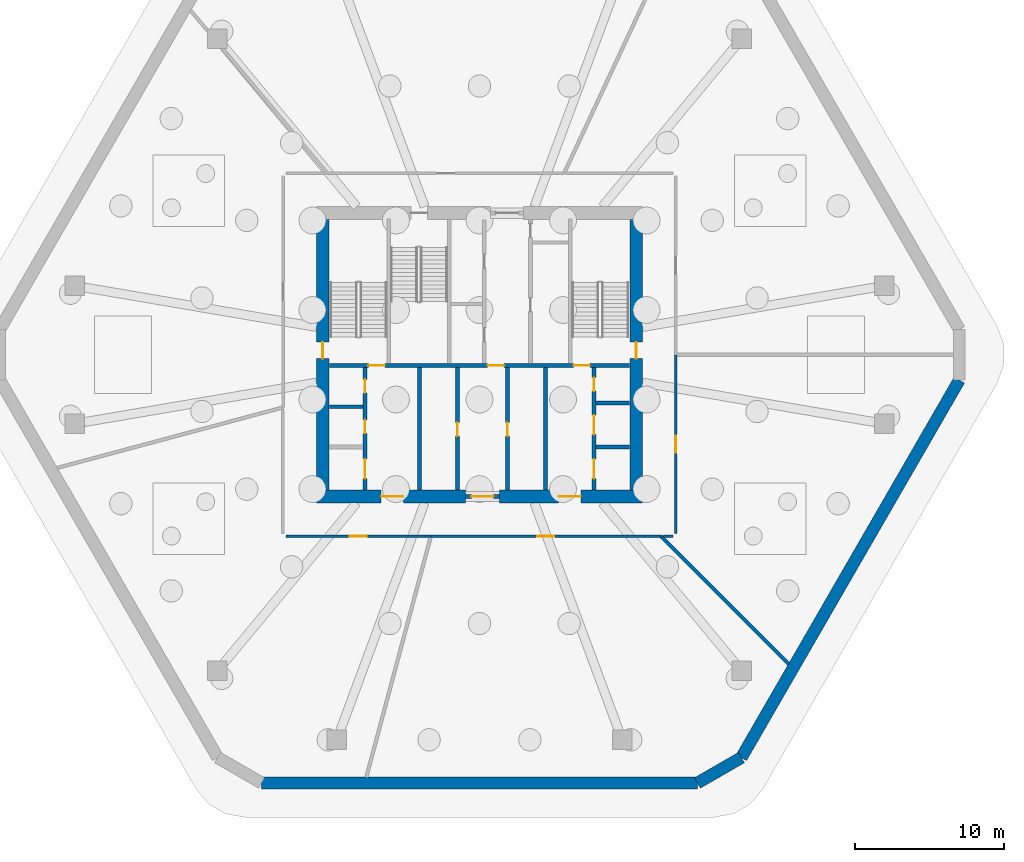
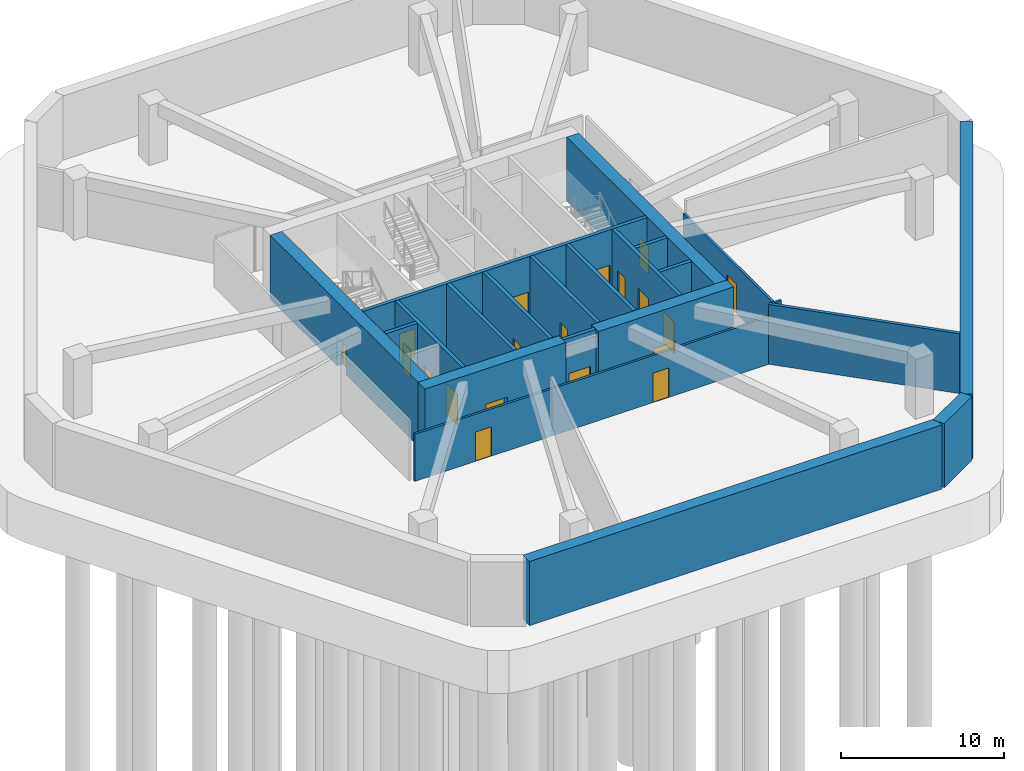
# One storey, part 2 of 5: 23 walls, 19 doors, 19 openings.
"""IFC4 building model written with IfcOpenShell, lengths in metres."""

from ifc_helpers import new_model, si_unit, direction, frame, frame_2d, origin, place, context, subcontext, project, spatial, rectangle, extrude, material, layer, layer_set, type_object, element, fill, save


model = new_model("IFC4")

# Units and contexts
model_context = context("Model", 3, precision=1e-05, world=origin(), true_north=direction((0.0, 1.0)))
body_context = subcontext(model_context, "Body", "Model", "MODEL_VIEW")
ifc_project = project(units=[si_unit("LENGTHUNIT", "METRE"), si_unit("AREAUNIT", "SQUARE_METRE"), si_unit("VOLUMEUNIT", "CUBIC_METRE"), si_unit("PLANEANGLEUNIT", "RADIAN"), si_unit("MASSUNIT", "GRAM", prefix="KILO")], contexts=[model_context])

# Site, building, storey
site_placement = place(None, origin())
site = spatial("IfcSite", under=ifc_project, at=site_placement, CompositionType="ELEMENT")
building_placement = place(site_placement, origin())
building = spatial("IfcBuilding", under=site, at=building_placement, Name="Zuhravey Tower", CompositionType="ELEMENT")
storey_placement = place(building_placement, frame((0.0, 0.0, -9.60009765625)))
storey = spatial("IfcBuildingStorey", under=building, at=storey_placement, Name="B02", CompositionType="ELEMENT", Elevation=-9.60009765625)

# Walls
ifc_material_1 = material(Name="Concrete C50/60", Category="concrete")
ifc_layer_1 = layer(ifc_material_1, 0.800048828125)
ifc_layer_set_1 = layer_set([ifc_layer_1], Name="Concrete C50/60")
wall_type_1 = type_object("IfcWallType", Name="Basement Retaining Wall 800", PredefinedType="USERDEFINED", material=ifc_layer_set_1)
wall_1_placement = place(storey_placement, frame((21.393798828125, 3.301513671875, 0.0), z_axis=(0.0, 0.0, 1.0), x_axis=(1.0, 0.0, 0.0)))
element("IfcWall", 1, at=wall_1_placement, inside=storey, type_object=wall_type_1, Name="B02 Retaining Wall RW80-10", ObjectType="RETAININGWALL", PredefinedType="USERDEFINED", context=body_context, shape_type="SweptSolid", body=[
    extrude(rectangle(XDim=29.21240234375, YDim=0.800048828125, at=frame_2d((14.606201171875, 0.0))), origin(), (0.0, 0.0, 1.0), 4.800048828125),
])
wall_2_placement = place(storey_placement, frame((50.606201171875, 3.301513671875, 0.0), z_axis=(0.0, 0.0, 1.0), x_axis=(0.866020560687, 0.500008388397, 0.0)))
element("IfcWall", 2, at=wall_2_placement, inside=storey, type_object=wall_type_1, Name="B02 Retaining Wall RW80-11", ObjectType="RETAININGWALL", PredefinedType="USERDEFINED", context=body_context, shape_type="SweptSolid", body=[
    extrude(rectangle(XDim=3.39990234375, YDim=0.800048828125, at=frame_2d((1.699951171875, 0.0))), origin(), (0.0, 0.0, 1.0), 4.800048828125),
])
wall_3_placement = place(storey_placement, frame((53.550537109375, 5.00146484375, 0.0), z_axis=(0.0, 0.0, 1.0), x_axis=(0.499995192696, 0.866028179265, 0.0)))
element("IfcWall", 3, at=wall_3_placement, inside=storey, type_object=wall_type_1, Name="B02 Retaining Wall RW80-12", ObjectType="RETAININGWALL", PredefinedType="USERDEFINED", context=body_context, shape_type="SweptSolid", body=[
    extrude(rectangle(XDim=29.212158203125, YDim=0.800048828125, at=frame_2d((14.60595703125, 0.0))), origin(), (0.0, 0.0, 1.0), 4.800048828125),
])

# Wall, opening, door
ifc_material_2 = material(Name="Concrete C60/75", Category="concrete")
ifc_layer_2 = layer(ifc_material_2, 0.85009765625)
ifc_layer_set_2 = layer_set([ifc_layer_2], Name="Concrete C60/75")
wall_type_2 = type_object("IfcWallType", Name="Core Shear Wall 850", PredefinedType="SHEAR", material=ifc_layer_set_2)
wall_4_placement = place(storey_placement, frame((25.074951171875, 22.5, 0.0), z_axis=(0.0, 0.0, 1.0), x_axis=(1.0, 0.0, 0.0)))
wall_4 = element("IfcWall", 4, at=wall_4_placement, inside=storey, type_object=wall_type_2, Name="B02 South-West Core Shear Wall CW85", PredefinedType="SHEAR", context=body_context, shape_type="SweptSolid", body=[
    extrude(rectangle(XDim=9.97509765625, YDim=0.85009765625, at=frame_2d((4.987548828125, 0.0))), origin(), (0.0, 0.0, 1.0), 4.800048828125),
])
opening_1_placement = place(wall_4_placement, frame((4.324951171875, 0.0, 0.0)))
opening_1 = element("IfcOpeningElement", 5, at=opening_1_placement, cuts=wall_4, Name="Opening FFD1", PredefinedType="OPENING", context=body_context, shape_type="SweptSolid", body=[
    extrude(rectangle(XDim=1.5, YDim=2.14990234375, at=frame_2d((0.75, 1.074951171875))), frame((0.0, 0.43701171875, 0.0), z_axis=(0.0, -1.0, 0.0), x_axis=(1.0, 0.0, 0.0)), (0.0, 0.0, 1.0), 0.8740234375),
])
ifc_material_3 = material(Name="Galvanised fire-rated steel leaf", Category="steel")
door_type_1 = type_object("IfcDoorType", Name="Firefighting Lobby Double Door 1500x2150", OperationType="DOUBLE_DOOR_SINGLE_SWING", PredefinedType="DOOR", material=ifc_material_3)
door_1_placement = place(opening_1_placement, origin())
door_1 = element("IfcDoor", 6, at=door_1_placement, inside=storey, type_object=door_type_1, Name="B02 Firefighting Lobby West Door", OperationType="DOUBLE_DOOR_SINGLE_SWING", OverallHeight=2.14990234375, OverallWidth=1.5, PredefinedType="DOOR", context=body_context, shape_type="SweptSolid", body=[
    extrude(rectangle(XDim=1.5, YDim=2.14990234375, at=frame_2d((0.75, 1.074951171875))), frame((0.0, 0.02490234375, 0.0), z_axis=(0.0, -1.0, 0.0), x_axis=(1.0, 0.0, 0.0)), (0.0, 0.0, 1.0), 0.050048828125),
])
fill(opening_1, door_1)

wall_5_placement = place(storey_placement, frame((37.35009765625, 22.5, 0.0), z_axis=(0.0, 0.0, 1.0), x_axis=(1.0, 0.0, 0.0)))
wall_5 = element("IfcWall", 7, at=wall_5_placement, inside=storey, type_object=wall_type_2, Name="B02 South-East Core Shear Wall CW85", PredefinedType="SHEAR", context=body_context, shape_type="SweptSolid", body=[
    extrude(rectangle(XDim=9.574951171875, YDim=0.85009765625, at=frame_2d((4.78759765625, 0.0))), origin(), (0.0, 0.0, 1.0), 4.800048828125),
])
opening_2_placement = place(wall_5_placement, frame((3.949951171875, 0.0, 0.0)))
opening_2 = element("IfcOpeningElement", 8, at=opening_2_placement, cuts=wall_5, Name="Opening FFD1", PredefinedType="OPENING", context=body_context, shape_type="SweptSolid", body=[
    extrude(rectangle(XDim=1.5, YDim=2.14990234375, at=frame_2d((0.75, 1.074951171875))), frame((0.0, 0.43701171875, 0.0), z_axis=(0.0, -1.0, 0.0), x_axis=(1.0, 0.0, 0.0)), (0.0, 0.0, 1.0), 0.8740234375),
])
door_2_placement = place(opening_2_placement, origin())
door_2 = element("IfcDoor", 9, at=door_2_placement, inside=storey, type_object=door_type_1, Name="B02 Firefighting Lobby East Door", OperationType="DOUBLE_DOOR_SINGLE_SWING", OverallHeight=2.14990234375, OverallWidth=1.5, PredefinedType="DOOR", context=body_context, shape_type="SweptSolid", body=[
    extrude(rectangle(XDim=1.5, YDim=2.14990234375, at=frame_2d((0.75, 1.074951171875))), frame((0.0, 0.02490234375, 0.0), z_axis=(0.0, -1.0, 0.0), x_axis=(1.0, 0.0, 0.0)), (0.0, 0.0, 1.0), 0.050048828125),
])
fill(opening_2, door_2)

wall_6_placement = place(storey_placement, frame((25.5, 22.925048828125, 0.0), z_axis=(0.0, 0.0, 1.0), x_axis=(0.0, 1.0, 0.0)))
wall_6 = element("IfcWall", 10, at=wall_6_placement, inside=storey, type_object=wall_type_2, Name="B02 West Core Shear Wall CW85", PredefinedType="SHEAR", context=body_context, shape_type="SweptSolid", body=[
    extrude(rectangle(XDim=18.14990234375, YDim=0.85009765625, at=frame_2d((9.074951171875, 0.0))), origin(), (0.0, 0.0, 1.0), 4.800048828125),
])
opening_3_placement = place(wall_6_placement, frame((8.824951171875, 0.0, 0.0)))
opening_3 = element("IfcOpeningElement", 11, at=opening_3_placement, cuts=wall_6, Name="Opening STD1", PredefinedType="OPENING", context=body_context, shape_type="SweptSolid", body=[
    extrude(rectangle(XDim=1.10009765625, YDim=2.14990234375, at=frame_2d((0.550048828125, 1.074951171875))), frame((0.0, 0.43701171875, 0.0), z_axis=(0.0, -1.0, 0.0), x_axis=(1.0, 0.0, 0.0)), (0.0, 0.0, 1.0), 0.8740234375),
])
door_type_2 = type_object("IfcDoorType", Name="Protected Stair Fire Door 1100x2150", OperationType="NOTDEFINED", PredefinedType="USERDEFINED", material=ifc_material_3)
door_3_placement = place(opening_3_placement, frame((1.10009765625, 0.0, 0.0), z_axis=(0.0, 0.0, 1.0), x_axis=(-1.0, 0.0, 0.0)))
door_3 = element("IfcDoor", 12, at=door_3_placement, inside=storey, type_object=door_type_2, Name="B02 Stair ST1 Door", ObjectType="EXITDOOR", OperationType="SINGLE_SWING_RIGHT", OverallHeight=2.14990234375, OverallWidth=1.10009765625, PredefinedType="USERDEFINED", context=body_context, shape_type="SweptSolid", body=[
    extrude(rectangle(XDim=1.10009765625, YDim=2.14990234375, at=frame_2d((0.550048828125, 1.074951171875))), frame((0.0, 0.02490234375, 0.0), z_axis=(0.0, -1.0, 0.0), x_axis=(1.0, 0.0, 0.0)), (0.0, 0.0, 1.0), 0.050048828125),
])
fill(opening_3, door_3)

wall_7_placement = place(storey_placement, frame((46.5, 22.925048828125, 0.0), z_axis=(0.0, 0.0, 1.0), x_axis=(0.0, 1.0, 0.0)))
wall_7 = element("IfcWall", 13, at=wall_7_placement, inside=storey, type_object=wall_type_2, Name="B02 East Core Shear Wall CW85", PredefinedType="SHEAR", context=body_context, shape_type="SweptSolid", body=[
    extrude(rectangle(XDim=18.14990234375, YDim=0.85009765625, at=frame_2d((9.074951171875, 0.0))), origin(), (0.0, 0.0, 1.0), 4.800048828125),
])
opening_4_placement = place(wall_7_placement, frame((8.824951171875, 0.0, 0.0)))
opening_4 = element("IfcOpeningElement", 14, at=opening_4_placement, cuts=wall_7, Name="Opening STD1", PredefinedType="OPENING", context=body_context, shape_type="SweptSolid", body=[
    extrude(rectangle(XDim=1.10009765625, YDim=2.14990234375, at=frame_2d((0.550048828125, 1.074951171875))), frame((0.0, 0.43701171875, 0.0), z_axis=(0.0, -1.0, 0.0), x_axis=(1.0, 0.0, 0.0)), (0.0, 0.0, 1.0), 0.8740234375),
])
door_4_placement = place(opening_4_placement, origin())
door_4 = element("IfcDoor", 15, at=door_4_placement, inside=storey, type_object=door_type_2, Name="B02 Stair ST2 Door", ObjectType="EXITDOOR", OperationType="SINGLE_SWING_LEFT", OverallHeight=2.14990234375, OverallWidth=1.10009765625, PredefinedType="USERDEFINED", context=body_context, shape_type="SweptSolid", body=[
    extrude(rectangle(XDim=1.10009765625, YDim=2.14990234375, at=frame_2d((0.550048828125, 1.074951171875))), frame((0.0, 0.02490234375, 0.0), z_axis=(0.0, -1.0, 0.0), x_axis=(1.0, 0.0, 0.0)), (0.0, 0.0, 1.0), 0.050048828125),
])
fill(opening_4, door_4)

ifc_material_4 = material(Name="Gypsum fire-rated stud partition")
ifc_layer_3 = layer(ifc_material_4, 0.159912109375)
ifc_layer_set_3 = layer_set([ifc_layer_3], Name="Gypsum fire-rated stud partition")
wall_type_3 = type_object("IfcWallType", Name="Corridor Fire Partition 160", PredefinedType="PARTITIONING", material=ifc_layer_set_3)
wall_8_placement = place(storey_placement, frame((23.02490234375, 19.844970703125, 0.0), z_axis=(0.0, 0.0, 1.0), x_axis=(1.0, 0.0, 0.0)))
wall_8 = element("IfcWall", 16, at=wall_8_placement, inside=storey, type_object=wall_type_3, Name="B02 IW16 Partition 022", PredefinedType="PARTITIONING", context=body_context, shape_type="SweptSolid", body=[
    extrude(rectangle(XDim=9.71826171875, YDim=0.159912109375, at=frame_2d((4.859130859375, 0.0))), origin(), (0.0, 0.0, 1.0), 3.530029296875),
])
opening_5_placement = place(wall_8_placement, frame((4.283935546875, 0.0, 0.0)))
opening_5 = element("IfcOpeningElement", 17, at=opening_5_placement, cuts=wall_8, Name="Opening CLD1", PredefinedType="OPENING", context=body_context, shape_type="SweptSolid", body=[
    extrude(rectangle(XDim=1.14990234375, YDim=2.199951171875, at=frame_2d((0.574951171875, 1.10009765625))), frame((0.0, 0.092041015625, 0.0), z_axis=(0.0, -1.0, 0.0), x_axis=(1.0, 0.0, 0.0)), (0.0, 0.0, 1.0), 0.183837890625),
])
ifc_material_5 = material(Name="Acoustic timber leaf with vision lite", Category="wood")
door_type_3 = type_object("IfcDoorType", Name="Classroom Acoustic Door 1150x2200", OperationType="NOTDEFINED", PredefinedType="DOOR", material=ifc_material_5)
door_5_placement = place(opening_5_placement, frame((1.14990234375, 0.0, 0.0), z_axis=(0.0, 0.0, 1.0), x_axis=(-1.0, 0.0, 0.0)))
door_5 = element("IfcDoor", 18, at=door_5_placement, inside=storey, type_object=door_type_3, Name="B02 Door 022.1", OperationType="SINGLE_SWING_RIGHT", OverallHeight=2.199951171875, OverallWidth=1.14990234375, PredefinedType="DOOR", context=body_context, shape_type="SweptSolid", body=[
    extrude(rectangle(XDim=1.14990234375, YDim=2.199951171875, at=frame_2d((0.574951171875, 1.10009765625))), frame((0.0, 0.02490234375, 0.0), z_axis=(0.0, -1.0, 0.0), x_axis=(1.0, 0.0, 0.0)), (0.0, 0.0, 1.0), 0.050048828125),
])
fill(opening_5, door_5)

wall_9_placement = place(storey_placement, frame((32.7431640625, 19.844970703125, 0.0), z_axis=(0.0, 0.0, 1.0), x_axis=(1.0, 0.0, 0.0)))
wall_9 = element("IfcWall", 19, at=wall_9_placement, inside=storey, type_object=wall_type_3, Name="B02 IW16 Partition 023", PredefinedType="PARTITIONING", context=body_context, shape_type="SweptSolid", body=[
    extrude(rectangle(XDim=15.411865234375, YDim=0.159912109375, at=frame_2d((7.7060546875, 0.0))), origin(), (0.0, 0.0, 1.0), 3.530029296875),
])
opening_6_placement = place(wall_9_placement, frame((7.131103515625, 0.0, 0.0)))
opening_6 = element("IfcOpeningElement", 20, at=opening_6_placement, cuts=wall_9, Name="Opening CLD1", PredefinedType="OPENING", context=body_context, shape_type="SweptSolid", body=[
    extrude(rectangle(XDim=1.14990234375, YDim=2.199951171875, at=frame_2d((0.574951171875, 1.10009765625))), frame((0.0, 0.092041015625, 0.0), z_axis=(0.0, -1.0, 0.0), x_axis=(1.0, 0.0, 0.0)), (0.0, 0.0, 1.0), 0.183837890625),
])
door_6_placement = place(opening_6_placement, frame((1.14990234375, 0.0, 0.0), z_axis=(0.0, 0.0, 1.0), x_axis=(-1.0, 0.0, 0.0)))
door_6 = element("IfcDoor", 21, at=door_6_placement, inside=storey, type_object=door_type_3, Name="B02 Door 023.1", OperationType="SINGLE_SWING_LEFT", OverallHeight=2.199951171875, OverallWidth=1.14990234375, PredefinedType="DOOR", context=body_context, shape_type="SweptSolid", body=[
    extrude(rectangle(XDim=1.14990234375, YDim=2.199951171875, at=frame_2d((0.574951171875, 1.10009765625))), frame((0.0, 0.02490234375, 0.0), z_axis=(0.0, -1.0, 0.0), x_axis=(1.0, 0.0, 0.0)), (0.0, 0.0, 1.0), 0.050048828125),
])
fill(opening_6, door_6)

wall_10_placement = place(storey_placement, frame((49.155029296875, 20.02490234375, 0.0), z_axis=(0.0, 0.0, 1.0), x_axis=(0.0, 1.0, 0.0)))
wall_10 = element("IfcWall", 22, at=wall_10_placement, inside=storey, type_object=wall_type_3, Name="B02 IW16 Partition 024", PredefinedType="PARTITIONING", context=body_context, shape_type="SweptSolid", body=[
    extrude(rectangle(XDim=11.97509765625, YDim=0.159912109375, at=frame_2d((5.987548828125, 0.0))), origin(), (0.0, 0.0, 1.0), 3.530029296875),
])
opening_7_placement = place(wall_10_placement, frame((5.41259765625, 0.0, 0.0)))
opening_7 = element("IfcOpeningElement", 23, at=opening_7_placement, cuts=wall_10, Name="Opening CLD1", PredefinedType="OPENING", context=body_context, shape_type="SweptSolid", body=[
    extrude(rectangle(XDim=1.14990234375, YDim=2.199951171875, at=frame_2d((0.574951171875, 1.10009765625))), frame((0.0, 0.092041015625, 0.0), z_axis=(0.0, -1.0, 0.0), x_axis=(1.0, 0.0, 0.0)), (0.0, 0.0, 1.0), 0.183837890625),
])
door_7_placement = place(opening_7_placement, frame((1.14990234375, 0.0, 0.0), z_axis=(0.0, 0.0, 1.0), x_axis=(-1.0, 0.0, 0.0)))
door_7 = element("IfcDoor", 24, at=door_7_placement, inside=storey, type_object=door_type_3, Name="B02 Door 024.1", OperationType="SINGLE_SWING_RIGHT", OverallHeight=2.199951171875, OverallWidth=1.14990234375, PredefinedType="DOOR", context=body_context, shape_type="SweptSolid", body=[
    extrude(rectangle(XDim=1.14990234375, YDim=2.199951171875, at=frame_2d((0.574951171875, 1.10009765625))), frame((0.0, 0.02490234375, 0.0), z_axis=(0.0, -1.0, 0.0), x_axis=(1.0, 0.0, 0.0)), (0.0, 0.0, 1.0), 0.050048828125),
])
fill(opening_7, door_7)

# Wall
wall_11_placement = place(storey_placement, frame((48.341796875, 19.824951171875, 0.0), z_axis=(0.0, 0.0, 1.0), x_axis=(1.0, 0.0, 0.0)))
element("IfcWall", 25, at=wall_11_placement, inside=storey, type_object=wall_type_3, Name="B02 IW16 Partition 037", PredefinedType="PARTITIONING", context=body_context, shape_type="SweptSolid", body=[
    extrude(rectangle(XDim=0.63330078125, YDim=0.159912109375, at=frame_2d((0.316650390625, 0.0))), origin(), (0.0, 0.0, 1.0), 4.47998046875),
])

# Wall, opening, door
ifc_layer_4 = layer(ifc_material_1, 0.25)
ifc_layer_set_4 = layer_set([ifc_layer_4], Name="Concrete C50/60")
wall_type_4 = type_object("IfcWallType", Name="Firefighting Shaft & Stair Wall 250", PredefinedType="SOLIDWALL", material=ifc_layer_set_4)
wall_12_placement = place(storey_placement, frame((35.06005859375, 22.5, 0.0), z_axis=(0.0, 0.0, 1.0), x_axis=(1.0, 0.0, 0.0)))
wall_12 = element("IfcWall", 26, at=wall_12_placement, inside=storey, type_object=wall_type_4, Name="B02 FW25 Shaft Wall 001", PredefinedType="SOLIDWALL", context=body_context, shape_type="SweptSolid", body=[
    extrude(rectangle(XDim=2.280029296875, YDim=0.25, at=frame_2d((1.14013671875, 0.0))), origin(), (0.0, 0.0, 1.0), 4.800048828125),
])
opening_8_placement = place(wall_12_placement, frame((0.389892578125, 0.0, 0.0)))
opening_8 = element("IfcOpeningElement", 27, at=opening_8_placement, cuts=wall_12, Name="Opening FFD1", PredefinedType="OPENING", context=body_context, shape_type="SweptSolid", body=[
    extrude(rectangle(XDim=1.5, YDim=2.14990234375, at=frame_2d((0.75, 1.074951171875))), frame((0.0, 0.136962890625, 0.0), z_axis=(0.0, -1.0, 0.0), x_axis=(1.0, 0.0, 0.0)), (0.0, 0.0, 1.0), 0.27392578125),
])
door_8_placement = place(opening_8_placement, frame((1.5, 0.0, 0.0), z_axis=(0.0, 0.0, 1.0), x_axis=(-1.0, 0.0, 0.0)))
door_8 = element("IfcDoor", 28, at=door_8_placement, inside=storey, type_object=door_type_1, Name="B02 South Lift Lobby Exit Door", OperationType="DOUBLE_DOOR_SINGLE_SWING", OverallHeight=2.14990234375, OverallWidth=1.5, PredefinedType="DOOR", context=body_context, shape_type="SweptSolid", body=[
    extrude(rectangle(XDim=1.5, YDim=2.14990234375, at=frame_2d((0.75, 1.074951171875))), frame((0.0, 0.02490234375, 0.0), z_axis=(0.0, -1.0, 0.0), x_axis=(1.0, 0.0, 0.0)), (0.0, 0.0, 1.0), 0.050048828125),
])
fill(opening_8, door_8)

# Wall, openings, doors
wall_13_placement = place(storey_placement, frame((25.949951171875, 31.27490234375, 0.0), z_axis=(0.0, 0.0, 1.0), x_axis=(1.0, 0.0, 0.0)))
wall_13 = element("IfcWall", 29, at=wall_13_placement, inside=storey, type_object=wall_type_4, Name="B02 FW25 Shaft Wall 003", PredefinedType="SOLIDWALL", context=body_context, shape_type="SweptSolid", body=[
    extrude(rectangle(XDim=20.10009765625, YDim=0.25, at=frame_2d((10.050048828125, 0.0))), origin(), (0.0, 0.0, 1.0), 4.800048828125),
])
opening_9_placement = place(wall_13_placement, frame((2.60009765625, 0.0, 0.0)))
opening_9 = element("IfcOpeningElement", 30, at=opening_9_placement, cuts=wall_13, Name="Opening STD1", PredefinedType="OPENING", context=body_context, shape_type="SweptSolid", body=[
    extrude(rectangle(XDim=1.10009765625, YDim=2.14990234375, at=frame_2d((0.550048828125, 1.074951171875))), frame((0.0, 0.136962890625, 0.0), z_axis=(0.0, -1.0, 0.0), x_axis=(1.0, 0.0, 0.0)), (0.0, 0.0, 1.0), 0.27392578125),
])
opening_10_placement = place(wall_13_placement, frame((10.60009765625, 0.0, 0.0)))
opening_10 = element("IfcOpeningElement", 31, at=opening_10_placement, cuts=wall_13, Name="Opening STD1", PredefinedType="OPENING", context=body_context, shape_type="SweptSolid", body=[
    extrude(rectangle(XDim=1.10009765625, YDim=2.14990234375, at=frame_2d((0.550048828125, 1.074951171875))), frame((0.0, 0.136962890625, 0.0), z_axis=(0.0, -1.0, 0.0), x_axis=(1.0, 0.0, 0.0)), (0.0, 0.0, 1.0), 0.27392578125),
])
opening_11_placement = place(wall_13_placement, frame((16.35009765625, 0.0, 0.0)))
opening_11 = element("IfcOpeningElement", 32, at=opening_11_placement, cuts=wall_13, Name="Opening STD1", PredefinedType="OPENING", context=body_context, shape_type="SweptSolid", body=[
    extrude(rectangle(XDim=1.10009765625, YDim=2.14990234375, at=frame_2d((0.550048828125, 1.074951171875))), frame((0.0, 0.136962890625, 0.0), z_axis=(0.0, -1.0, 0.0), x_axis=(1.0, 0.0, 0.0)), (0.0, 0.0, 1.0), 0.27392578125),
])
door_9_placement = place(opening_9_placement, origin())
door_9 = element("IfcDoor", 33, at=door_9_placement, inside=storey, type_object=door_type_2, Name="B02 FFL-W to ST1 Door", ObjectType="EXITDOOR", OperationType="SINGLE_SWING_LEFT", OverallHeight=2.14990234375, OverallWidth=1.10009765625, PredefinedType="USERDEFINED", context=body_context, shape_type="SweptSolid", body=[
    extrude(rectangle(XDim=1.10009765625, YDim=2.14990234375, at=frame_2d((0.550048828125, 1.074951171875))), frame((0.0, 0.02490234375, 0.0), z_axis=(0.0, -1.0, 0.0), x_axis=(1.0, 0.0, 0.0)), (0.0, 0.0, 1.0), 0.050048828125),
])
fill(opening_9, door_9)
door_10_placement = place(opening_10_placement, origin())
door_10 = element("IfcDoor", 34, at=door_10_placement, inside=storey, type_object=door_type_2, Name="B02 Core Lobby Link Door", ObjectType="EXITDOOR", OperationType="SINGLE_SWING_RIGHT", OverallHeight=2.14990234375, OverallWidth=1.10009765625, PredefinedType="USERDEFINED", context=body_context, shape_type="SweptSolid", body=[
    extrude(rectangle(XDim=1.10009765625, YDim=2.14990234375, at=frame_2d((0.550048828125, 1.074951171875))), frame((0.0, 0.02490234375, 0.0), z_axis=(0.0, -1.0, 0.0), x_axis=(1.0, 0.0, 0.0)), (0.0, 0.0, 1.0), 0.050048828125),
])
fill(opening_10, door_10)
door_11_placement = place(opening_11_placement, origin())
door_11 = element("IfcDoor", 35, at=door_11_placement, inside=storey, type_object=door_type_2, Name="B02 FFL-E to ST2 Door", ObjectType="EXITDOOR", OperationType="SINGLE_SWING_LEFT", OverallHeight=2.14990234375, OverallWidth=1.10009765625, PredefinedType="USERDEFINED", context=body_context, shape_type="SweptSolid", body=[
    extrude(rectangle(XDim=1.10009765625, YDim=2.14990234375, at=frame_2d((0.550048828125, 1.074951171875))), frame((0.0, 0.02490234375, 0.0), z_axis=(0.0, -1.0, 0.0), x_axis=(1.0, 0.0, 0.0)), (0.0, 0.0, 1.0), 0.050048828125),
])
fill(opening_11, door_11)

# Wall
wall_14_placement = place(storey_placement, frame((25.949951171875, 28.52490234375, 0.0), z_axis=(0.0, 0.0, 1.0), x_axis=(1.0, 0.0, 0.0)))
element("IfcWall", 36, at=wall_14_placement, inside=storey, type_object=wall_type_4, Name="B02 FW25 Shaft Wall 010", PredefinedType="SOLIDWALL", context=body_context, shape_type="SweptSolid", body=[
    extrude(rectangle(XDim=2.25, YDim=0.25, at=frame_2d((1.125, 0.0))), origin(), (0.0, 0.0, 1.0), 4.800048828125),
])

# Wall, openings, doors
wall_15_placement = place(storey_placement, frame((28.324951171875, 22.949951171875, 0.0), z_axis=(0.0, 0.0, 1.0), x_axis=(0.0, 1.0, 0.0)))
wall_15 = element("IfcWall", 37, at=wall_15_placement, inside=storey, type_object=wall_type_4, Name="B02 FW25 Shaft Wall 011", PredefinedType="SOLIDWALL", context=body_context, shape_type="SweptSolid", body=[
    extrude(rectangle(XDim=8.199951171875, YDim=0.25, at=frame_2d((4.10009765625, 0.0))), origin(), (0.0, 0.0, 1.0), 4.800048828125),
])
opening_12_placement = place(wall_15_placement, frame((0.75, 0.0, 0.0)))
opening_12 = element("IfcOpeningElement", 38, at=opening_12_placement, cuts=wall_15, Name="Opening LD2", PredefinedType="OPENING", context=body_context, shape_type="SweptSolid", body=[
    extrude(rectangle(XDim=1.300048828125, YDim=2.300048828125, at=frame_2d((0.64990234375, 1.14990234375))), frame((0.0, 0.136962890625, 0.0), z_axis=(0.0, -1.0, 0.0), x_axis=(1.0, 0.0, 0.0)), (0.0, 0.0, 1.0), 0.27392578125),
])
opening_13_placement = place(wall_15_placement, frame((3.780029296875, 0.0, 0.0)))
opening_13 = element("IfcOpeningElement", 39, at=opening_13_placement, cuts=wall_15, Name="Opening RSD1", PredefinedType="OPENING", context=body_context, shape_type="SweptSolid", body=[
    extrude(rectangle(XDim=0.89990234375, YDim=2.10009765625, at=frame_2d((0.449951171875, 1.050048828125))), frame((0.0, 0.136962890625, 0.0), z_axis=(0.0, -1.0, 0.0), x_axis=(1.0, 0.0, 0.0)), (0.0, 0.0, 1.0), 0.27392578125),
])
opening_14_placement = place(wall_15_placement, frame((6.5, 0.0, 0.0)))
opening_14 = element("IfcOpeningElement", 40, at=opening_14_placement, cuts=wall_15, Name="Opening RSD1", PredefinedType="OPENING", context=body_context, shape_type="SweptSolid", body=[
    extrude(rectangle(XDim=0.89990234375, YDim=2.10009765625, at=frame_2d((0.449951171875, 1.050048828125))), frame((0.0, 0.136962890625, 0.0), z_axis=(0.0, -1.0, 0.0), x_axis=(1.0, 0.0, 0.0)), (0.0, 0.0, 1.0), 0.27392578125),
])
ifc_material_6 = material(Name="Brushed stainless steel", Category="steel")
door_type_4 = type_object("IfcDoorType", Name="Freight & Stretcher Lift Sliding Door 1300x2300", OperationType="DOUBLE_DOOR_SLIDING", PredefinedType="DOOR", material=ifc_material_6)
door_12_placement = place(opening_12_placement, frame((1.300048828125, 0.0, 0.0), z_axis=(0.0, 0.0, 1.0), x_axis=(-1.0, 0.0, 0.0)))
door_12 = element("IfcDoor", 41, at=door_12_placement, inside=storey, type_object=door_type_4, Name="B02 Lift FF1 Landing Door", OperationType="DOUBLE_DOOR_SLIDING", OverallHeight=2.300048828125, OverallWidth=1.300048828125, PredefinedType="DOOR", context=body_context, shape_type="SweptSolid", body=[
    extrude(rectangle(XDim=1.300048828125, YDim=2.300048828125, at=frame_2d((0.64990234375, 1.14990234375))), frame((0.0, 0.02490234375, 0.0), z_axis=(0.0, -1.0, 0.0), x_axis=(1.0, 0.0, 0.0)), (0.0, 0.0, 1.0), 0.050048828125),
])
fill(opening_12, door_12)
ifc_material_7 = material(Name="Galvanised fire-rated steel access leaf", Category="steel")
door_type_5 = type_object("IfcDoorType", Name="Riser & Shaft Access Fire Door 900x2100", OperationType="NOTDEFINED", PredefinedType="DOOR", material=ifc_material_7)
door_13_placement = place(opening_13_placement, frame((0.89990234375, 0.0, 0.0), z_axis=(0.0, 0.0, 1.0), x_axis=(-1.0, 0.0, 0.0)))
door_13 = element("IfcDoor", 42, at=door_13_placement, inside=storey, type_object=door_type_5, Name="B02 Electrical Riser Door", OperationType="SINGLE_SWING_RIGHT", OverallHeight=2.10009765625, OverallWidth=0.89990234375, PredefinedType="DOOR", context=body_context, shape_type="SweptSolid", body=[
    extrude(rectangle(XDim=0.89990234375, YDim=2.10009765625, at=frame_2d((0.449951171875, 1.050048828125))), frame((0.0, 0.02490234375, 0.0), z_axis=(0.0, -1.0, 0.0), x_axis=(1.0, 0.0, 0.0)), (0.0, 0.0, 1.0), 0.050048828125),
])
fill(opening_13, door_13)
door_14_placement = place(opening_14_placement, frame((0.89990234375, 0.0, 0.0), z_axis=(0.0, 0.0, 1.0), x_axis=(-1.0, 0.0, 0.0)))
door_14 = element("IfcDoor", 43, at=door_14_placement, inside=storey, type_object=door_type_5, Name="B02 Smoke Shaft Access Door", OperationType="SINGLE_SWING_LEFT", OverallHeight=2.10009765625, OverallWidth=0.89990234375, PredefinedType="DOOR", context=body_context, shape_type="SweptSolid", body=[
    extrude(rectangle(XDim=0.89990234375, YDim=2.10009765625, at=frame_2d((0.449951171875, 1.050048828125))), frame((0.0, 0.02490234375, 0.0), z_axis=(0.0, -1.0, 0.0), x_axis=(1.0, 0.0, 0.0)), (0.0, 0.0, 1.0), 0.050048828125),
])
fill(opening_14, door_14)

# Wall
wall_16_placement = place(storey_placement, frame((31.97509765625, 22.949951171875, 0.0), z_axis=(0.0, 0.0, 1.0), x_axis=(0.0, 1.0, 0.0)))
element("IfcWall", 44, at=wall_16_placement, inside=storey, type_object=wall_type_4, Name="B02 FW25 Shaft Wall 012", PredefinedType="SOLIDWALL", context=body_context, shape_type="SweptSolid", body=[
    extrude(rectangle(XDim=8.199951171875, YDim=0.25, at=frame_2d((4.10009765625, 0.0))), origin(), (0.0, 0.0, 1.0), 4.800048828125),
])

# Wall, opening, door
wall_17_placement = place(storey_placement, frame((34.52490234375, 22.949951171875, 0.0), z_axis=(0.0, 0.0, 1.0), x_axis=(0.0, 1.0, 0.0)))
wall_17 = element("IfcWall", 45, at=wall_17_placement, inside=storey, type_object=wall_type_4, Name="B02 FW25 Shaft Wall 013", PredefinedType="SOLIDWALL", context=body_context, shape_type="SweptSolid", body=[
    extrude(rectangle(XDim=8.199951171875, YDim=0.25, at=frame_2d((4.10009765625, 0.0))), origin(), (0.0, 0.0, 1.0), 4.800048828125),
])
opening_15_placement = place(wall_17_placement, frame((3.60009765625, 0.0, 0.0)))
opening_15 = element("IfcOpeningElement", 46, at=opening_15_placement, cuts=wall_17, Name="Opening RSD1", PredefinedType="OPENING", context=body_context, shape_type="SweptSolid", body=[
    extrude(rectangle(XDim=0.89990234375, YDim=2.10009765625, at=frame_2d((0.449951171875, 1.050048828125))), frame((0.0, 0.136962890625, 0.0), z_axis=(0.0, -1.0, 0.0), x_axis=(1.0, 0.0, 0.0)), (0.0, 0.0, 1.0), 0.27392578125),
])
door_15_placement = place(opening_15_placement, origin())
door_15 = element("IfcDoor", 47, at=door_15_placement, inside=storey, type_object=door_type_5, Name="B02 Basement West Equipment Store Door", OperationType="SINGLE_SWING_RIGHT", OverallHeight=2.10009765625, OverallWidth=0.89990234375, PredefinedType="DOOR", context=body_context, shape_type="SweptSolid", body=[
    extrude(rectangle(XDim=0.89990234375, YDim=2.10009765625, at=frame_2d((0.449951171875, 1.050048828125))), frame((0.0, 0.02490234375, 0.0), z_axis=(0.0, -1.0, 0.0), x_axis=(1.0, 0.0, 0.0)), (0.0, 0.0, 1.0), 0.050048828125),
])
fill(opening_15, door_15)

wall_18_placement = place(storey_placement, frame((37.875, 22.949951171875, 0.0), z_axis=(0.0, 0.0, 1.0), x_axis=(0.0, 1.0, 0.0)))
wall_18 = element("IfcWall", 48, at=wall_18_placement, inside=storey, type_object=wall_type_4, Name="B02 FW25 Shaft Wall 014", PredefinedType="SOLIDWALL", context=body_context, shape_type="SweptSolid", body=[
    extrude(rectangle(XDim=8.199951171875, YDim=0.25, at=frame_2d((4.10009765625, 0.0))), origin(), (0.0, 0.0, 1.0), 4.800048828125),
])
opening_16_placement = place(wall_18_placement, frame((3.60009765625, 0.0, 0.0)))
opening_16 = element("IfcOpeningElement", 49, at=opening_16_placement, cuts=wall_18, Name="Opening RSD1", PredefinedType="OPENING", context=body_context, shape_type="SweptSolid", body=[
    extrude(rectangle(XDim=0.89990234375, YDim=2.10009765625, at=frame_2d((0.449951171875, 1.050048828125))), frame((0.0, 0.136962890625, 0.0), z_axis=(0.0, -1.0, 0.0), x_axis=(1.0, 0.0, 0.0)), (0.0, 0.0, 1.0), 0.27392578125),
])
door_16_placement = place(opening_16_placement, frame((0.89990234375, 0.0, 0.0), z_axis=(0.0, 0.0, 1.0), x_axis=(-1.0, 0.0, 0.0)))
door_16 = element("IfcDoor", 50, at=door_16_placement, inside=storey, type_object=door_type_5, Name="B02 Basement East Equipment Store Door", OperationType="SINGLE_SWING_LEFT", OverallHeight=2.10009765625, OverallWidth=0.89990234375, PredefinedType="DOOR", context=body_context, shape_type="SweptSolid", body=[
    extrude(rectangle(XDim=0.89990234375, YDim=2.10009765625, at=frame_2d((0.449951171875, 1.050048828125))), frame((0.0, 0.02490234375, 0.0), z_axis=(0.0, -1.0, 0.0), x_axis=(1.0, 0.0, 0.0)), (0.0, 0.0, 1.0), 0.050048828125),
])
fill(opening_16, door_16)

# Walls
wall_19_placement = place(storey_placement, frame((40.425048828125, 22.949951171875, 0.0), z_axis=(0.0, 0.0, 1.0), x_axis=(0.0, 1.0, 0.0)))
element("IfcWall", 51, at=wall_19_placement, inside=storey, type_object=wall_type_4, Name="B02 FW25 Shaft Wall 015", PredefinedType="SOLIDWALL", context=body_context, shape_type="SweptSolid", body=[
    extrude(rectangle(XDim=8.199951171875, YDim=0.25, at=frame_2d((4.10009765625, 0.0))), origin(), (0.0, 0.0, 1.0), 4.800048828125),
])
for number, where, z_axis, x_axis, name in (
    (52, (43.800048828125, 25.824951171875, 0.0), (0.0, 0.0, 1.0), (1.0, 0.0, 0.0), "B02 FW25 Shaft Wall 016"),
    (53, (43.800048828125, 28.77490234375, 0.0), (0.0, 0.0, 1.0), (1.0, 0.0, 0.0), "B02 FW25 Shaft Wall 017"),
):
    element("IfcWall", number, at=place(storey_placement, frame(where, z_axis=z_axis, x_axis=x_axis)), inside=storey, type_object=wall_type_4, Name=name, PredefinedType="SOLIDWALL", context=body_context, shape_type="SweptSolid", body=[
        extrude(rectangle(XDim=2.25, YDim=0.25, at=frame_2d((1.125, 0.0))), origin(), (0.0, 0.0, 1.0), 4.800048828125),
    ])

# Wall, openings, doors
wall_20_placement = place(storey_placement, frame((43.675048828125, 22.949951171875, 0.0), z_axis=(0.0, 0.0, 1.0), x_axis=(0.0, 1.0, 0.0)))
wall_20 = element("IfcWall", 54, at=wall_20_placement, inside=storey, type_object=wall_type_4, Name="B02 FW25 Shaft Wall 018", PredefinedType="SOLIDWALL", context=body_context, shape_type="SweptSolid", body=[
    extrude(rectangle(XDim=8.199951171875, YDim=0.25, at=frame_2d((4.10009765625, 0.0))), origin(), (0.0, 0.0, 1.0), 4.800048828125),
])
opening_17_placement = place(wall_20_placement, frame((0.75, 0.0, 0.0)))
opening_17 = element("IfcOpeningElement", 55, at=opening_17_placement, cuts=wall_20, Name="Opening LD2", PredefinedType="OPENING", context=body_context, shape_type="SweptSolid", body=[
    extrude(rectangle(XDim=1.300048828125, YDim=2.300048828125, at=frame_2d((0.64990234375, 1.14990234375))), frame((0.0, 0.136962890625, 0.0), z_axis=(0.0, -1.0, 0.0), x_axis=(1.0, 0.0, 0.0)), (0.0, 0.0, 1.0), 0.27392578125),
])
opening_18_placement = place(wall_20_placement, frame((3.699951171875, 0.0, 0.0)))
opening_18 = element("IfcOpeningElement", 56, at=opening_18_placement, cuts=wall_20, Name="Opening LD2", PredefinedType="OPENING", context=body_context, shape_type="SweptSolid", body=[
    extrude(rectangle(XDim=1.300048828125, YDim=2.300048828125, at=frame_2d((0.64990234375, 1.14990234375))), frame((0.0, 0.136962890625, 0.0), z_axis=(0.0, -1.0, 0.0), x_axis=(1.0, 0.0, 0.0)), (0.0, 0.0, 1.0), 0.27392578125),
])
opening_19_placement = place(wall_20_placement, frame((6.6201171875, 0.0, 0.0)))
opening_19 = element("IfcOpeningElement", 57, at=opening_19_placement, cuts=wall_20, Name="Opening RSD1", PredefinedType="OPENING", context=body_context, shape_type="SweptSolid", body=[
    extrude(rectangle(XDim=0.89990234375, YDim=2.10009765625, at=frame_2d((0.449951171875, 1.050048828125))), frame((0.0, 0.136962890625, 0.0), z_axis=(0.0, -1.0, 0.0), x_axis=(1.0, 0.0, 0.0)), (0.0, 0.0, 1.0), 0.27392578125),
])
door_17_placement = place(opening_17_placement, origin())
door_17 = element("IfcDoor", 58, at=door_17_placement, inside=storey, type_object=door_type_4, Name="B02 Lift FF2 Landing Door", OperationType="DOUBLE_DOOR_SLIDING", OverallHeight=2.300048828125, OverallWidth=1.300048828125, PredefinedType="DOOR", context=body_context, shape_type="SweptSolid", body=[
    extrude(rectangle(XDim=1.300048828125, YDim=2.300048828125, at=frame_2d((0.64990234375, 1.14990234375))), frame((0.0, 0.02490234375, 0.0), z_axis=(0.0, -1.0, 0.0), x_axis=(1.0, 0.0, 0.0)), (0.0, 0.0, 1.0), 0.050048828125),
])
fill(opening_17, door_17)
door_18_placement = place(opening_18_placement, origin())
door_18 = element("IfcDoor", 59, at=door_18_placement, inside=storey, type_object=door_type_4, Name="B02 Lift SV1 Landing Door", OperationType="DOUBLE_DOOR_SLIDING", OverallHeight=2.300048828125, OverallWidth=1.300048828125, PredefinedType="DOOR", context=body_context, shape_type="SweptSolid", body=[
    extrude(rectangle(XDim=1.300048828125, YDim=2.300048828125, at=frame_2d((0.64990234375, 1.14990234375))), frame((0.0, 0.02490234375, 0.0), z_axis=(0.0, -1.0, 0.0), x_axis=(1.0, 0.0, 0.0)), (0.0, 0.0, 1.0), 0.050048828125),
])
fill(opening_18, door_18)
door_19_placement = place(opening_19_placement, origin())
door_19 = element("IfcDoor", 60, at=door_19_placement, inside=storey, type_object=door_type_5, Name="B02 Plumbing Riser Door", OperationType="SINGLE_SWING_RIGHT", OverallHeight=2.10009765625, OverallWidth=0.89990234375, PredefinedType="DOOR", context=body_context, shape_type="SweptSolid", body=[
    extrude(rectangle(XDim=0.89990234375, YDim=2.10009765625, at=frame_2d((0.449951171875, 1.050048828125))), frame((0.0, 0.02490234375, 0.0), z_axis=(0.0, -1.0, 0.0), x_axis=(1.0, 0.0, 0.0)), (0.0, 0.0, 1.0), 0.050048828125),
])
fill(opening_19, door_19)

# Wall
ifc_material_8 = material(Name="Gypsum acoustic stud assembly")
ifc_layer_5 = layer(ifc_material_8, 0.219970703125)
ifc_layer_set_5 = layer_set([ifc_layer_5], Name="Gypsum acoustic stud assembly")
wall_type_5 = type_object("IfcWallType", Name="School Acoustic Compartment Wall 220", PredefinedType="PARTITIONING", material=ifc_layer_set_5)
wall_21_placement = place(storey_placement, frame((48.155029296875, 19.844970703125, 0.0), z_axis=(0.0, 0.0, 1.0), x_axis=(0.707106781187, -0.707106781187, 0.0)))
element("IfcWall", 61, at=wall_21_placement, inside=storey, type_object=wall_type_5, Name="B02 IW22 Partition 033", PredefinedType="PARTITIONING", context=body_context, shape_type="SweptSolid", body=[
    extrude(rectangle(XDim=12.1279296875, YDim=0.219970703125, at=frame_2d((6.06396484375, 0.0))), origin(), (0.0, 0.0, 1.0), 4.47998046875),
])

save(model, "model.ifc")
